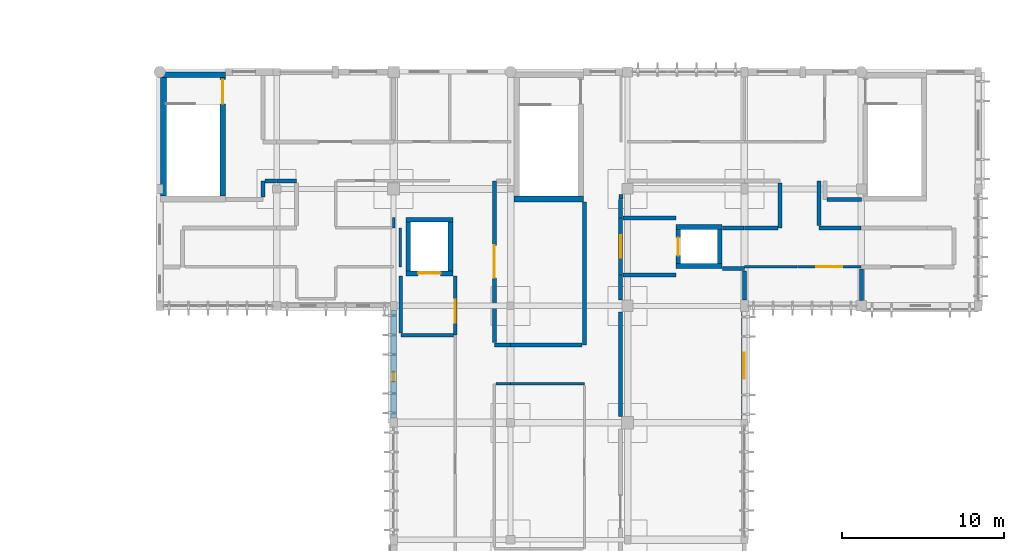
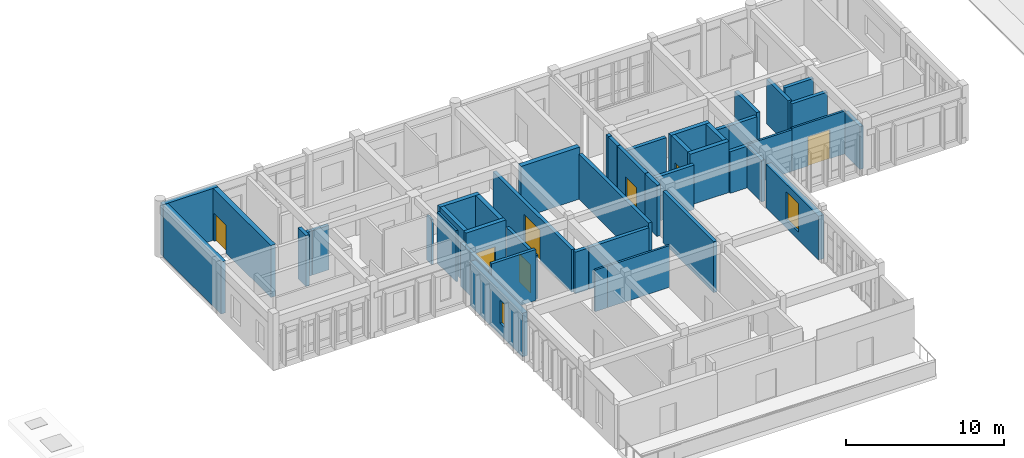
# One storey, part 15 of 19: 46 walls, 7 doors, 2 windows, 9 openings.
"""IFC4 building model written with IfcOpenShell, lengths in metres."""

from ifc_helpers import new_model, si_unit, direction, frame, frame_2d, origin, place, context, subcontext, project, spatial, rectangle, extrude, material, layer, layer_set, type_object, element, fill, save


model = new_model("IFC4")

# Units and contexts
model_context = context("Model", 3, precision=1e-05, world=origin(), true_north=direction((0.0, 1.0)))
body_context = subcontext(model_context, "Body", "Model", "MODEL_VIEW")
ifc_project = project(units=[si_unit("LENGTHUNIT", "METRE"), si_unit("AREAUNIT", "SQUARE_METRE"), si_unit("VOLUMEUNIT", "CUBIC_METRE"), si_unit("PLANEANGLEUNIT", "RADIAN"), si_unit("MASSUNIT", "GRAM", prefix="KILO")], contexts=[model_context])

# Site, building, storey
site_placement = place(None, origin())
site = spatial("IfcSite", under=ifc_project, at=site_placement, CompositionType="ELEMENT")
building_placement = place(site_placement, origin())
building = spatial("IfcBuilding", under=site, at=building_placement, Name="Steenspoor Specialist Clinic", CompositionType="ELEMENT")
storey_placement = place(building_placement, frame((0.0, 0.0, 21.60009765625)))
storey = spatial("IfcBuildingStorey", under=building, at=storey_placement, Name="L05", CompositionType="ELEMENT", Elevation=21.60009765625)

# Wall, opening, window
ifc_material_1 = material(Name="Extruded clay brick masonry", Category="masonry")
ifc_layer_1 = layer(ifc_material_1, 0.3798828125)
ifc_layer_set_1 = layer_set([ifc_layer_1], Name="Extruded clay brick masonry")
wall_type_1 = type_object("IfcWallType", Name="W-BRICK-380", PredefinedType="USERDEFINED", material=ifc_layer_set_1)
wall_1_placement = place(storey_placement, frame((74.0, 87.050048828125, 0.0), z_axis=(0.0, 0.0, 1.0), x_axis=(0.0, 1.0, 0.0)))
wall_1 = element("IfcWall", 1, at=wall_1_placement, inside=storey, type_object=wall_type_1, Name="Exterior Brick Wall EW-V4-L05-0217", ObjectType="CAVITY VENEER", PredefinedType="USERDEFINED", context=body_context, shape_type="SweptSolid", body=[
    extrude(rectangle(XDim=6.625, YDim=0.3798828125, at=frame_2d((3.3125, 0.0))), origin(), (0.0, 0.0, 1.0), 3.3798828125),
])
opening_1_placement = place(wall_1_placement, frame((2.239990234375, 0.0, 0.89990234375)))
opening_1 = element("IfcOpeningElement", 2, at=opening_1_placement, cuts=wall_1, Name="Opening WN-01", PredefinedType="OPENING", context=body_context, shape_type="SweptSolid", body=[
    extrude(rectangle(XDim=0.60009765625, YDim=1.800048828125, at=frame_2d((0.300048828125, 0.89990234375))), frame((0.0, 0.199951171875, 0.0), z_axis=(0.0, -1.0, 0.0), x_axis=(1.0, 0.0, 0.0)), (0.0, 0.0, 1.0), 0.39990234375),
])
ifc_material_2 = material(Name="Thermally broken aluminium and low-emissivity glass", Category="aluminium")
window_type_1 = type_object("IfcWindowType", Name="WN-EXT-060X180", PartitioningType="SINGLE_PANEL", PredefinedType="WINDOW", material=ifc_material_2)
window_1_placement = place(opening_1_placement, origin())
window_1 = element("IfcWindow", 3, at=window_1_placement, inside=storey, type_object=window_type_1, Name="Window 0236", OverallHeight=1.800048828125, OverallWidth=0.60009765625, PartitioningType="SINGLE_PANEL", PredefinedType="WINDOW", context=body_context, shape_type="SweptSolid", body=[
    extrude(rectangle(XDim=0.60009765625, YDim=1.800048828125, at=frame_2d((0.300048828125, 0.89990234375))), frame((0.0, 0.030029296875, 0.0), z_axis=(0.0, -1.0, 0.0), x_axis=(1.0, 0.0, 0.0)), (0.0, 0.0, 1.0), 0.06005859375),
])
fill(opening_1, window_1)

wall_2_placement = place(storey_placement, frame((95.60009765625, 93.60009765625, 0.0), z_axis=(0.0, 0.0, 1.0), x_axis=(0.0, -1.0, 0.0)))
wall_2 = element("IfcWall", 4, at=wall_2_placement, inside=storey, type_object=wall_type_1, Name="Exterior Brick Wall EW-V4-L05-0229", ObjectType="CAVITY VENEER", PredefinedType="USERDEFINED", context=body_context, shape_type="SweptSolid", body=[
    extrude(rectangle(XDim=6.650146484375, YDim=0.3798828125, at=frame_2d((3.3251953125, 0.0))), origin(), (0.0, 0.0, 1.0), 3.3798828125),
])
opening_2_placement = place(wall_2_placement, frame((2.52490234375, 0.0, 0.60009765625)))
opening_2 = element("IfcOpeningElement", 5, at=opening_2_placement, cuts=wall_2, Name="Opening WN-16", PredefinedType="OPENING", context=body_context, shape_type="SweptSolid", body=[
    extrude(rectangle(XDim=1.60009765625, YDim=2.199951171875, at=frame_2d((0.800048828125, 1.10009765625))), frame((0.0, 0.199951171875, 0.0), z_axis=(0.0, -1.0, 0.0), x_axis=(1.0, 0.0, 0.0)), (0.0, 0.0, 1.0), 0.39990234375),
])
window_type_2 = type_object("IfcWindowType", Name="WN-EXT-160X220", PartitioningType="SINGLE_PANEL", PredefinedType="WINDOW", material=ifc_material_2)
window_2_placement = place(opening_2_placement, origin())
window_2 = element("IfcWindow", 6, at=window_2_placement, inside=storey, type_object=window_type_2, Name="Window 0251", OverallHeight=2.199951171875, OverallWidth=1.60009765625, PartitioningType="SINGLE_PANEL", PredefinedType="WINDOW", context=body_context, shape_type="SweptSolid", body=[
    extrude(rectangle(XDim=1.60009765625, YDim=2.199951171875, at=frame_2d((0.800048828125, 1.10009765625))), frame((0.0, 0.030029296875, 0.0), z_axis=(0.0, -1.0, 0.0), x_axis=(1.0, 0.0, 0.0)), (0.0, 0.0, 1.0), 0.06005859375),
])
fill(opening_2, window_2)

# Walls
ifc_material_3 = material(Name="Gypsum acoustic clinical partition", Category="gypsum")
ifc_layer_2 = layer(ifc_material_3, 0.14990234375)
ifc_layer_set_2 = layer_set([ifc_layer_2], Name="Gypsum acoustic clinical partition")
wall_type_2 = type_object("IfcWallType", Name="W-CLIN-150", PredefinedType="PARTITIONING", material=ifc_layer_set_2)
wall_3_placement = place(storey_placement, frame((74.39990234375, 96.35009765625, 0.0), z_axis=(0.0, 0.0, 1.0), x_axis=(0.0, 1.0, 0.0)))
element("IfcWall", 7, at=wall_3_placement, inside=storey, type_object=wall_type_2, Name="Interior Partition IW-V4-L05-1980", PredefinedType="PARTITIONING", context=body_context, shape_type="SweptSolid", body=[
    extrude(rectangle(XDim=2.39990234375, YDim=0.14990234375, at=frame_2d((1.199951171875, 0.0))), origin(), (0.0, 0.0, 1.0), 3.949951171875),
])
wall_4_placement = place(storey_placement, frame((74.0, 98.75, 0.0), z_axis=(0.0, 0.0, 1.0), x_axis=(0.0, 1.0, 0.0)))
element("IfcWall", 8, at=wall_4_placement, inside=storey, type_object=wall_type_2, Name="Interior Partition IW-V4-L05-1981", PredefinedType="PARTITIONING", context=body_context, shape_type="SweptSolid", body=[
    extrude(rectangle(XDim=0.64990234375, YDim=0.14990234375, at=frame_2d((0.324951171875, 0.0))), origin(), (0.0, 0.0, 1.0), 3.469970703125),
])
wall_5_placement = place(storey_placement, frame((81.199951171875, 89.14990234375, 0.0), z_axis=(0.0, 0.0, 1.0), x_axis=(1.0, 0.0, 0.0)))
element("IfcWall", 9, at=wall_5_placement, inside=storey, type_object=wall_type_2, Name="Interior Partition IW-V4-L05-1983", PredefinedType="PARTITIONING", context=body_context, shape_type="SweptSolid", body=[
    extrude(rectangle(XDim=4.550048828125, YDim=0.14990234375, at=frame_2d((2.27490234375, 0.0))), origin(), (0.0, 0.0, 1.0), 3.219970703125),
])
wall_6_placement = place(storey_placement, frame((80.2900390625, 89.14990234375, 0.0), z_axis=(0.0, 0.0, 1.0), x_axis=(1.0, 0.0, 0.0)))
element("IfcWall", 10, at=wall_6_placement, inside=storey, type_object=wall_type_2, Name="Interior Partition IW-V4-L05-1988", PredefinedType="PARTITIONING", context=body_context, shape_type="SweptSolid", body=[
    extrude(rectangle(XDim=0.89501953125, YDim=0.14990234375, at=frame_2d((0.447509765625, 0.0))), origin(), (0.0, 0.0, 1.0), 3.219970703125),
])
wall_7_placement = place(storey_placement, frame((95.614990234375, 96.35009765625, 0.0), z_axis=(0.0, 0.0, 1.0), x_axis=(1.0, 0.0, 0.0)))
element("IfcWall", 11, at=wall_7_placement, inside=storey, type_object=wall_type_2, Name="Interior Partition IW-V4-L05-1989", PredefinedType="PARTITIONING", context=body_context, shape_type="SweptSolid", body=[
    extrude(rectangle(XDim=3.235107421875, YDim=0.14990234375, at=frame_2d((1.61767578125, 0.0))), origin(), (0.0, 0.0, 1.0), 3.219970703125),
])

# Wall, opening, door
wall_8_placement = place(storey_placement, frame((98.864990234375, 96.35009765625, 0.0), z_axis=(0.0, 0.0, 1.0), x_axis=(1.0, 0.0, 0.0)))
wall_8 = element("IfcWall", 12, at=wall_8_placement, inside=storey, type_object=wall_type_2, Name="Interior Partition IW-V4-L05-1990", PredefinedType="PARTITIONING", context=body_context, shape_type="SweptSolid", body=[
    extrude(rectangle(XDim=3.919921875, YDim=0.14990234375, at=frame_2d((1.9599609375, 0.0))), origin(), (0.0, 0.0, 1.0), 3.31982421875),
])
opening_3_placement = place(wall_8_placement, frame((1.159912109375, 0.0, 0.0)))
opening_3 = element("IfcOpeningElement", 13, at=opening_3_placement, cuts=wall_8, Name="Opening D0313", PredefinedType="OPENING", context=body_context, shape_type="SweptSolid", body=[
    extrude(rectangle(XDim=1.60009765625, YDim=2.25, at=frame_2d((0.800048828125, 1.125))), frame((0.0, 0.0849609375, 0.0), z_axis=(0.0, -1.0, 0.0), x_axis=(1.0, 0.0, 0.0)), (0.0, 0.0, 1.0), 0.169921875),
])
ifc_material_4 = material(Name="Hygienic HPL clinical timber door", Category="wood")
door_type_1 = type_object("IfcDoorType", Name="DT-PROC-160X225", OperationType="NOTDEFINED", PredefinedType="DOOR", material=ifc_material_4)
door_1_placement = place(opening_3_placement, origin())
door_1 = element("IfcDoor", 14, at=door_1_placement, inside=storey, type_object=door_type_1, Name="Clinical Door D0313", OperationType="SINGLE_SWING_RIGHT", OverallHeight=2.25, OverallWidth=1.60009765625, PredefinedType="DOOR", context=body_context, shape_type="SweptSolid", body=[
    extrude(rectangle(XDim=1.60009765625, YDim=2.25, at=frame_2d((0.800048828125, 1.125))), frame((0.0, 0.02490234375, 0.0), z_axis=(0.0, -1.0, 0.0), x_axis=(1.0, 0.0, 0.0)), (0.0, 0.0, 1.0), 0.050048828125),
])
fill(opening_3, door_1)

# Wall
ifc_material_5 = material(Name="Concrete C40/50", Category="concrete")
ifc_layer_3 = layer(ifc_material_5, 0.330078125)
ifc_layer_set_3 = layer_set([ifc_layer_3], Name="Concrete C40/50")
wall_type_3 = type_object("IfcWallType", Name="W-ESW-330", PredefinedType="SHEAR", material=ifc_layer_set_3)
wall_9_placement = place(storey_placement, frame((59.64990234375, 108.175048828125, 0.0), z_axis=(0.0, 0.0, 1.0), x_axis=(1.0, 0.0, 0.0)))
element("IfcWall", 15, at=wall_9_placement, inside=storey, type_object=wall_type_3, Name="Core Shear Wall SW-ST-V4A-L05-N", PredefinedType="SHEAR", context=body_context, shape_type="SweptSolid", body=[
    extrude(rectangle(XDim=4.0, YDim=0.330078125, at=frame_2d((2.0, 0.0))), origin(), (0.0, 0.0, 1.0), 4.02001953125),
])

# Wall, opening, door
ifc_material_6 = material(Name="Fire-rated clay blockwork masonry", Category="masonry")
ifc_layer_4 = layer(ifc_material_6, 0.219970703125)
ifc_layer_set_4 = layer_set([ifc_layer_4], Name="Fire-rated clay blockwork masonry")
wall_type_4 = type_object("IfcWallType", Name="W-FIRE-220", PredefinedType="PARTITIONING", material=ifc_layer_set_4)
wall_10_placement = place(storey_placement, frame((77.800048828125, 92.14990234375, 0.0), z_axis=(0.0, 0.0, 1.0), x_axis=(0.0, 1.0, 0.0)))
wall_10 = element("IfcWall", 16, at=wall_10_placement, inside=storey, type_object=wall_type_4, Name="Interior Partition IW-V4-L05-1929", PredefinedType="PARTITIONING", context=body_context, shape_type="SweptSolid", body=[
    extrude(rectangle(XDim=3.650146484375, YDim=0.219970703125, at=frame_2d((1.8251953125, 0.0))), origin(), (0.0, 0.0, 1.0), 3.369873046875),
])
opening_4_placement = place(wall_10_placement, frame((0.764892578125, 0.0, 0.0)))
opening_4 = element("IfcOpeningElement", 17, at=opening_4_placement, cuts=wall_10, Name="Opening D0307", PredefinedType="OPENING", context=body_context, shape_type="SweptSolid", body=[
    extrude(rectangle(XDim=1.39990234375, YDim=2.199951171875, at=frame_2d((0.699951171875, 1.10009765625))), frame((0.0, 0.1201171875, 0.0), z_axis=(0.0, -1.0, 0.0), x_axis=(1.0, 0.0, 0.0)), (0.0, 0.0, 1.0), 0.239990234375),
])
ifc_material_7 = material(Name="Fire-rated clinical laminate door", Category="steel")
door_type_2 = type_object("IfcDoorType", Name="DT-LAB-140X220", OperationType="NOTDEFINED", PredefinedType="DOOR", material=ifc_material_7)
door_2_placement = place(opening_4_placement, origin())
door_2 = element("IfcDoor", 18, at=door_2_placement, inside=storey, type_object=door_type_2, Name="Lift Lobby Fire Door D0307", OperationType="SINGLE_SWING_RIGHT", OverallHeight=2.199951171875, OverallWidth=1.39990234375, PredefinedType="DOOR", context=body_context, shape_type="SweptSolid", body=[
    extrude(rectangle(XDim=1.39990234375, YDim=2.199951171875, at=frame_2d((0.699951171875, 1.10009765625))), frame((0.0, 0.02490234375, 0.0), z_axis=(0.0, -1.0, 0.0), x_axis=(1.0, 0.0, 0.0)), (0.0, 0.0, 1.0), 0.050048828125),
])
fill(opening_4, door_2)

# Walls
wall_11_placement = place(storey_placement, frame((74.449951171875, 92.14990234375, 0.0), z_axis=(0.0, 0.0, 1.0), x_axis=(1.0, 0.0, 0.0)))
element("IfcWall", 19, at=wall_11_placement, inside=storey, type_object=wall_type_4, Name="Interior Partition IW-V4-L05-1931", PredefinedType="PARTITIONING", context=body_context, shape_type="SweptSolid", body=[
    extrude(rectangle(XDim=3.22509765625, YDim=0.219970703125, at=frame_2d((1.612548828125, 0.0))), origin(), (0.0, 0.0, 1.0), 3.949951171875),
])
wall_12_placement = place(storey_placement, frame((74.449951171875, 92.27490234375, 0.0), z_axis=(0.0, 0.0, 1.0), x_axis=(0.0, 1.0, 0.0)))
element("IfcWall", 20, at=wall_12_placement, inside=storey, type_object=wall_type_4, Name="Interior Partition IW-V4-L05-1932", PredefinedType="PARTITIONING", context=body_context, shape_type="SweptSolid", body=[
    extrude(rectangle(XDim=3.525146484375, YDim=0.219970703125, at=frame_2d((1.7626953125, 0.0))), origin(), (0.0, 0.0, 1.0), 3.369873046875),
])

# Wall, opening, door
ifc_layer_5 = layer(ifc_material_6, 0.25)
ifc_layer_set_5 = layer_set([ifc_layer_5], Name="Fire-rated clay blockwork masonry")
wall_type_5 = type_object("IfcWallType", Name="W-SHAFT-250", PredefinedType="PARTITIONING", material=ifc_layer_set_5)
wall_13_placement = place(storey_placement, frame((87.97509765625, 95.85009765625, 0.0), z_axis=(0.0, 0.0, 1.0), x_axis=(0.0, 1.0, 0.0)))
wall_13 = element("IfcWall", 21, at=wall_13_placement, inside=storey, type_object=wall_type_5, Name="Interior Partition IW-V4-L05-1930", PredefinedType="PARTITIONING", context=body_context, shape_type="SweptSolid", body=[
    extrude(rectangle(XDim=3.5, YDim=0.25, at=frame_2d((1.75, 0.0))), origin(), (0.0, 0.0, 1.0), 3.949951171875),
])
opening_5_placement = place(wall_13_placement, frame((1.050048828125, 0.0, 0.0)))
opening_5 = element("IfcOpeningElement", 22, at=opening_5_placement, cuts=wall_13, Name="Opening D0308", PredefinedType="OPENING", context=body_context, shape_type="SweptSolid", body=[
    extrude(rectangle(XDim=1.39990234375, YDim=2.199951171875, at=frame_2d((0.699951171875, 1.10009765625))), frame((0.0, 0.135009765625, 0.0), z_axis=(0.0, -1.0, 0.0), x_axis=(1.0, 0.0, 0.0)), (0.0, 0.0, 1.0), 0.27001953125),
])
door_3_placement = place(opening_5_placement, origin())
door_3 = element("IfcDoor", 23, at=door_3_placement, inside=storey, type_object=door_type_2, Name="Lift Lobby Fire Door D0308", OperationType="SINGLE_SWING_LEFT", OverallHeight=2.199951171875, OverallWidth=1.39990234375, PredefinedType="DOOR", context=body_context, shape_type="SweptSolid", body=[
    extrude(rectangle(XDim=1.39990234375, YDim=2.199951171875, at=frame_2d((0.699951171875, 1.10009765625))), frame((0.0, 0.02490234375, 0.0), z_axis=(0.0, -1.0, 0.0), x_axis=(1.0, 0.0, 0.0)), (0.0, 0.0, 1.0), 0.050048828125),
])
fill(opening_5, door_3)

# Walls
for number, where, z_axis, x_axis, name in (
    (24, (88.114990234375, 99.35009765625, 0.0), (0.0, 0.0, 1.0), (1.0, 0.0, 0.0), "Interior Partition IW-V4-L05-1933"),
    (25, (88.114990234375, 95.85009765625, 0.0), (0.0, 0.0, 1.0), (1.0, 0.0, 0.0), "Interior Partition IW-V4-L05-1934"),
):
    element("IfcWall", number, at=place(storey_placement, frame(where, z_axis=z_axis, x_axis=x_axis)), inside=storey, type_object=wall_type_5, Name=name, PredefinedType="PARTITIONING", context=body_context, shape_type="SweptSolid", body=[
        extrude(rectangle(XDim=3.260009765625, YDim=0.25, at=frame_2d((1.6298828125, 0.0))), origin(), (0.0, 0.0, 1.0), 3.43994140625),
    ])
wall_14_placement = place(storey_placement, frame((87.971923828125, 87.14013671875, 0.0), z_axis=(0.0, 0.0, 1.0), x_axis=(0.000189408285, 0.999999982062, 0.0)))
element("IfcWall", 26, at=wall_14_placement, inside=storey, type_object=wall_type_5, Name="Interior Partition IW-V4-L05-1938", PredefinedType="PARTITIONING", context=body_context, shape_type="SweptSolid", body=[
    extrude(rectangle(XDim=6.44482421875, YDim=0.25, at=frame_2d((3.222412109375, 0.0))), origin(), (0.0, 0.0, 1.0), 3.949951171875),
])
wall_15_placement = place(storey_placement, frame((87.973388671875, 94.315185546875, 0.0), z_axis=(0.0, 0.0, 1.0), x_axis=(0.000160642568, 0.999999987097, 0.0)))
element("IfcWall", 27, at=wall_15_placement, inside=storey, type_object=wall_type_5, Name="Interior Partition IW-V4-L05-1939", PredefinedType="PARTITIONING", context=body_context, shape_type="SweptSolid", body=[
    extrude(rectangle(XDim=1.519775390625, YDim=0.25, at=frame_2d((0.759765625, 0.0))), origin(), (0.0, 0.0, 1.0), 3.949951171875),
])
wall_16_placement = place(storey_placement, frame((87.969970703125, 99.364990234375, 0.0), z_axis=(0.0, 0.0, 1.0), x_axis=(0.0, 1.0, 0.0)))
element("IfcWall", 28, at=wall_16_placement, inside=storey, type_object=wall_type_5, Name="Interior Partition IW-V4-L05-1940", PredefinedType="PARTITIONING", context=body_context, shape_type="SweptSolid", body=[
    extrude(rectangle(XDim=1.135009765625, YDim=0.25, at=frame_2d((0.5673828125, 0.0))), origin(), (0.0, 0.0, 1.0), 3.949951171875),
])
wall_17_placement = place(storey_placement, frame((88.0, 100.514892578125, 0.0), z_axis=(0.0, 0.0, 1.0), x_axis=(0.0, 1.0, 0.0)))
element("IfcWall", 29, at=wall_17_placement, inside=storey, type_object=wall_type_5, Name="Interior Partition IW-V4-L05-1941", PredefinedType="PARTITIONING", context=body_context, shape_type="SweptSolid", body=[
    extrude(rectangle(XDim=0.295166015625, YDim=0.25, at=frame_2d((0.1474609375, 0.0))), origin(), (0.0, 0.0, 1.0), 3.949951171875),
])
wall_18_placement = place(storey_placement, frame((97.800048828125, 98.75, 0.0), z_axis=(0.0, 0.0, 1.0), x_axis=(0.0, 1.0, 0.0)))
element("IfcWall", 30, at=wall_18_placement, inside=storey, type_object=wall_type_5, Name="Interior Partition IW-V4-L05-1944", PredefinedType="PARTITIONING", context=body_context, shape_type="SweptSolid", body=[
    extrude(rectangle(XDim=2.760009765625, YDim=0.25, at=frame_2d((1.3798828125, 0.0))), origin(), (0.0, 0.0, 1.0), 3.43994140625),
])
wall_19_placement = place(storey_placement, frame((95.60009765625, 98.75, 0.0), z_axis=(0.0, 0.0, 1.0), x_axis=(1.0, 0.0, 0.0)))
element("IfcWall", 31, at=wall_19_placement, inside=storey, type_object=wall_type_5, Name="Interior Partition IW-V4-L05-1945", PredefinedType="PARTITIONING", context=body_context, shape_type="SweptSolid", body=[
    extrude(rectangle(XDim=2.059814453125, YDim=0.25, at=frame_2d((1.02978515625, 0.0))), origin(), (0.0, 0.0, 1.0), 3.219970703125),
])
wall_20_placement = place(storey_placement, frame((94.239990234375, 98.75, 0.0), z_axis=(0.0, 0.0, 1.0), x_axis=(1.0, 0.0, 0.0)))
element("IfcWall", 32, at=wall_20_placement, inside=storey, type_object=wall_type_5, Name="Interior Partition IW-V4-L05-1946", PredefinedType="PARTITIONING", context=body_context, shape_type="SweptSolid", body=[
    extrude(rectangle(XDim=1.344970703125, YDim=0.25, at=frame_2d((0.67236328125, 0.0))), origin(), (0.0, 0.0, 1.0), 3.219970703125),
])
wall_21_placement = place(storey_placement, frame((94.239990234375, 96.25, 0.0), z_axis=(0.0, 0.0, 1.0), x_axis=(1.0, 0.0, 0.0)))
element("IfcWall", 33, at=wall_21_placement, inside=storey, type_object=wall_type_5, Name="Interior Partition IW-V4-L05-1947", PredefinedType="PARTITIONING", context=body_context, shape_type="SweptSolid", body=[
    extrude(rectangle(XDim=1.360107421875, YDim=0.25, at=frame_2d((0.68017578125, 0.0))), origin(), (0.0, 0.0, 1.0), 3.219970703125),
])
wall_22_placement = place(storey_placement, frame((85.75, 91.550048828125, 0.0), z_axis=(0.0, 0.0, 1.0), x_axis=(0.0, 1.0, 0.0)))
element("IfcWall", 34, at=wall_22_placement, inside=storey, type_object=wall_type_5, Name="Interior Partition IW-V4-L05-1948", PredefinedType="PARTITIONING", context=body_context, shape_type="SweptSolid", body=[
    extrude(rectangle(XDim=8.800048828125, YDim=0.25, at=frame_2d((4.39990234375, 0.0))), origin(), (0.0, 0.0, 1.0), 3.5),
])
wall_23_placement = place(storey_placement, frame((81.199951171875, 91.550048828125, 0.0), z_axis=(0.0, 0.0, 1.0), x_axis=(1.0, 0.0, 0.0)))
element("IfcWall", 35, at=wall_23_placement, inside=storey, type_object=wall_type_5, Name="Interior Partition IW-V4-L05-1949", PredefinedType="PARTITIONING", context=body_context, shape_type="SweptSolid", body=[
    extrude(rectangle(XDim=4.41015625, YDim=0.25, at=frame_2d((2.205078125, 0.0))), origin(), (0.0, 0.0, 1.0), 3.219970703125),
])
wall_24_placement = place(storey_placement, frame((80.199951171875, 91.550048828125, 0.0), z_axis=(0.0, 0.0, 1.0), x_axis=(1.0, 0.0, 0.0)))
element("IfcWall", 36, at=wall_24_placement, inside=storey, type_object=wall_type_5, Name="Interior Partition IW-V4-L05-1950", PredefinedType="PARTITIONING", context=body_context, shape_type="SweptSolid", body=[
    extrude(rectangle(XDim=0.985107421875, YDim=0.25, at=frame_2d((0.49267578125, 0.0))), origin(), (0.0, 0.0, 1.0), 3.219970703125),
])

# Wall, opening, door
wall_25_placement = place(storey_placement, frame((80.199951171875, 91.68994140625, 0.0), z_axis=(0.0, 0.0, 1.0), x_axis=(0.0, 1.0, 0.0)))
wall_25 = element("IfcWall", 37, at=wall_25_placement, inside=storey, type_object=wall_type_5, Name="Interior Partition IW-V4-L05-1951", PredefinedType="PARTITIONING", context=body_context, shape_type="SweptSolid", body=[
    extrude(rectangle(XDim=9.9599609375, YDim=0.25, at=frame_2d((4.97998046875, 0.0))), origin(), (0.0, 0.0, 1.0), 3.2998046875),
])
opening_6_placement = place(wall_25_placement, frame((3.97998046875, 0.0, 0.0)))
opening_6 = element("IfcOpeningElement", 38, at=opening_6_placement, cuts=wall_25, Name="Opening D0312", PredefinedType="OPENING", context=body_context, shape_type="SweptSolid", body=[
    extrude(rectangle(XDim=2.0, YDim=2.39990234375, at=frame_2d((1.0, 1.199951171875))), frame((0.0, 0.135009765625, 0.0), z_axis=(0.0, -1.0, 0.0), x_axis=(1.0, 0.0, 0.0)), (0.0, 0.0, 1.0), 0.27001953125),
])
ifc_material_8 = material(Name="Fire-rated louvred steel plant door", Category="steel")
door_type_3 = type_object("IfcDoorType", Name="DT-PLANT-200X240", OperationType="NOTDEFINED", PredefinedType="DOOR", material=ifc_material_8)
door_4_placement = place(opening_6_placement, origin())
door_4 = element("IfcDoor", 39, at=door_4_placement, inside=storey, type_object=door_type_3, Name="Clinical Door D0312", OperationType="DOUBLE_DOOR_SINGLE_SWING", OverallHeight=2.39990234375, OverallWidth=2.0, PredefinedType="DOOR", context=body_context, shape_type="SweptSolid", body=[
    extrude(rectangle(XDim=2.0, YDim=2.39990234375, at=frame_2d((1.0, 1.199951171875))), frame((0.0, 0.02490234375, 0.0), z_axis=(0.0, -1.0, 0.0), x_axis=(1.0, 0.0, 0.0)), (0.0, 0.0, 1.0), 0.050048828125),
])
fill(opening_6, door_4)

# Walls
wall_26_placement = place(storey_placement, frame((100.68994140625, 100.5, 0.0), z_axis=(0.0, 0.0, 1.0), x_axis=(1.0, 0.0, 0.0)))
element("IfcWall", 40, at=wall_26_placement, inside=storey, type_object=wall_type_5, Name="Interior Partition IW-V4-L05-1954", PredefinedType="PARTITIONING", context=body_context, shape_type="SweptSolid", body=[
    extrude(rectangle(XDim=2.110107421875, YDim=0.25, at=frame_2d((1.05517578125, 0.0))), origin(), (0.0, 0.0, 1.0), 3.31982421875),
])
wall_27_placement = place(storey_placement, frame((100.199951171875, 98.75, 0.0), z_axis=(0.0, 0.0, 1.0), x_axis=(1.0, 0.0, 0.0)))
element("IfcWall", 41, at=wall_27_placement, inside=storey, type_object=wall_type_5, Name="Interior Partition IW-V4-L05-1959", PredefinedType="PARTITIONING", context=body_context, shape_type="SweptSolid", body=[
    extrude(rectangle(XDim=2.5849609375, YDim=0.25, at=frame_2d((1.29248046875, 0.0))), origin(), (0.0, 0.0, 1.0), 3.31982421875),
])
wall_28_placement = place(storey_placement, frame((100.199951171875, 98.889892578125, 0.0), z_axis=(0.0, 0.0, 1.0), x_axis=(0.0, 1.0, 0.0)))
element("IfcWall", 42, at=wall_28_placement, inside=storey, type_object=wall_type_5, Name="Interior Partition IW-V4-L05-1960", PredefinedType="PARTITIONING", context=body_context, shape_type="SweptSolid", body=[
    extrude(rectangle(XDim=2.760009765625, YDim=0.25, at=frame_2d((1.3798828125, 0.0))), origin(), (0.0, 0.0, 1.0), 3.43994140625),
])
wall_29_placement = place(storey_placement, frame((65.949951171875, 100.639892578125, 0.0), z_axis=(0.0, 0.0, 1.0), x_axis=(0.0, 1.0, 0.0)))
element("IfcWall", 43, at=wall_29_placement, inside=storey, type_object=wall_type_5, Name="Interior Partition IW-V4-L05-1968", PredefinedType="PARTITIONING", context=body_context, shape_type="SweptSolid", body=[
    extrude(rectangle(XDim=1.010009765625, YDim=0.25, at=frame_2d((0.5048828125, 0.0))), origin(), (0.0, 0.0, 1.0), 3.949951171875),
])
wall_30_placement = place(storey_placement, frame((66.090087890625, 101.64990234375, 0.0), z_axis=(0.0, 0.0, 1.0), x_axis=(1.0, 0.0, 0.0)))
element("IfcWall", 44, at=wall_30_placement, inside=storey, type_object=wall_type_5, Name="Interior Partition IW-V4-L05-1969", PredefinedType="PARTITIONING", context=body_context, shape_type="SweptSolid", body=[
    extrude(rectangle(XDim=0.7099609375, YDim=0.25, at=frame_2d((0.35498046875, 0.0))), origin(), (0.0, 0.0, 1.0), 3.43994140625),
])
wall_31_placement = place(storey_placement, frame((66.81494140625, 101.64990234375, 0.0), z_axis=(0.0, 0.0, 1.0), x_axis=(1.0, 0.0, 0.0)))
element("IfcWall", 45, at=wall_31_placement, inside=storey, type_object=wall_type_5, Name="Interior Partition IW-V4-L05-1970", PredefinedType="PARTITIONING", context=body_context, shape_type="SweptSolid", body=[
    extrude(rectangle(XDim=1.215087890625, YDim=0.25, at=frame_2d((0.607421875, 0.0))), origin(), (0.0, 0.0, 1.0), 3.43994140625),
])
wall_32_placement = place(storey_placement, frame((95.60009765625, 94.31494140625, 0.0), z_axis=(0.0, 0.0, 1.0), x_axis=(0.0, 1.0, 0.0)))
element("IfcWall", 46, at=wall_32_placement, inside=storey, type_object=wall_type_5, Name="Interior Partition IW-V4-L05-2004", PredefinedType="PARTITIONING", context=body_context, shape_type="SweptSolid", body=[
    extrude(rectangle(XDim=1.795166015625, YDim=0.25, at=frame_2d((0.8974609375, 0.0))), origin(), (0.0, 0.0, 1.0), 3.219970703125),
])
wall_33_placement = place(storey_placement, frame((102.800048828125, 94.2900390625, 0.0), z_axis=(0.0, 0.0, 1.0), x_axis=(0.0, 1.0, 0.0)))
element("IfcWall", 47, at=wall_33_placement, inside=storey, type_object=wall_type_5, Name="Interior Partition IW-V4-L05-2005", PredefinedType="PARTITIONING", context=body_context, shape_type="SweptSolid", body=[
    extrude(rectangle(XDim=1.919921875, YDim=0.25, at=frame_2d((0.9599609375, 0.0))), origin(), (0.0, 0.0, 1.0), 3.31982421875),
])

# Wall, opening, door
ifc_layer_6 = layer(ifc_material_5, 0.300048828125)
ifc_layer_set_6 = layer_set([ifc_layer_6], Name="Concrete C40/50")
wall_type_6 = type_object("IfcWallType", Name="W-SW-300", PredefinedType="SHEAR", material=ifc_layer_set_6)
wall_34_placement = place(storey_placement, frame((74.75, 95.949951171875, 0.0), z_axis=(0.0, 0.0, 1.0), x_axis=(1.0, 0.0, 0.0)))
wall_34 = element("IfcWall", 48, at=wall_34_placement, inside=storey, type_object=wall_type_6, Name="Lift Shaft Shear Wall SW-EL-S1-L05-S", PredefinedType="SHEAR", context=body_context, shape_type="SweptSolid", body=[
    extrude(rectangle(XDim=2.89990234375, YDim=0.300048828125, at=frame_2d((1.449951171875, 0.0))), origin(), (0.0, 0.0, 1.0), 3.949951171875),
])
opening_7_placement = place(wall_34_placement, frame((0.75, 0.0, 0.0)))
opening_7 = element("IfcOpeningElement", 49, at=opening_7_placement, cuts=wall_34, Name="Opening LD06", PredefinedType="OPENING", context=body_context, shape_type="SweptSolid", body=[
    extrude(rectangle(XDim=1.39990234375, YDim=2.14990234375, at=frame_2d((0.699951171875, 1.074951171875))), frame((0.0, 0.16015625, 0.0), z_axis=(0.0, -1.0, 0.0), x_axis=(1.0, 0.0, 0.0)), (0.0, 0.0, 1.0), 0.320068359375),
])
ifc_material_9 = material(Name="Stainless steel lift landing door", Category="steel")
door_type_4 = type_object("IfcDoorType", Name="DT-LIFT-S-140", OperationType="NOTDEFINED", PredefinedType="DOOR", material=ifc_material_9)
door_5_placement = place(opening_7_placement, origin())
door_5 = element("IfcDoor", 50, at=door_5_placement, inside=storey, type_object=door_type_4, Name="Lift Landing Door LD06", OperationType="SLIDING_TO_LEFT", OverallHeight=2.14990234375, OverallWidth=1.39990234375, PredefinedType="DOOR", context=body_context, shape_type="SweptSolid", body=[
    extrude(rectangle(XDim=1.39990234375, YDim=2.14990234375, at=frame_2d((0.699951171875, 1.074951171875))), frame((0.0, 0.02490234375, 0.0), z_axis=(0.0, -1.0, 0.0), x_axis=(1.0, 0.0, 0.0)), (0.0, 0.0, 1.0), 0.050048828125),
])
fill(opening_7, door_5)

# Walls
wall_35_placement = place(storey_placement, frame((74.75, 99.25, 0.0), z_axis=(0.0, 0.0, 1.0), x_axis=(1.0, 0.0, 0.0)))
element("IfcWall", 51, at=wall_35_placement, inside=storey, type_object=wall_type_6, Name="Lift Shaft Shear Wall SW-EL-S1-L05-N", PredefinedType="SHEAR", context=body_context, shape_type="SweptSolid", body=[
    extrude(rectangle(XDim=2.89990234375, YDim=0.300048828125, at=frame_2d((1.449951171875, 0.0))), origin(), (0.0, 0.0, 1.0), 3.949951171875),
])
for number, where, z_axis, x_axis, name in (
    (52, (74.89990234375, 96.10009765625, 0.0), (0.0, 0.0, 1.0), (0.0, 1.0, 0.0), "Lift Shaft Shear Wall SW-EL-S1-L05-W"),
    (53, (77.5, 96.10009765625, 0.0), (0.0, 0.0, 1.0), (0.0, 1.0, 0.0), "Lift Shaft Shear Wall SW-EL-S1-L05-E"),
):
    element("IfcWall", number, at=place(storey_placement, frame(where, z_axis=z_axis, x_axis=x_axis)), inside=storey, type_object=wall_type_6, Name=name, PredefinedType="SHEAR", context=body_context, shape_type="SweptSolid", body=[
        extrude(rectangle(XDim=3.0, YDim=0.300048828125, at=frame_2d((1.5, 0.0))), origin(), (0.0, 0.0, 1.0), 3.949951171875),
    ])
for number, where, z_axis, x_axis, name in (
    (54, (91.375, 96.39990234375, 0.0), (0.0, 0.0, 1.0), (1.0, 0.0, 0.0), "Lift Shaft Shear Wall SW-EL-P1-L05-S"),
    (55, (91.375, 98.800048828125, 0.0), (0.0, 0.0, 1.0), (1.0, 0.0, 0.0), "Lift Shaft Shear Wall SW-EL-P1-L05-N"),
):
    element("IfcWall", number, at=place(storey_placement, frame(where, z_axis=z_axis, x_axis=x_axis)), inside=storey, type_object=wall_type_6, Name=name, PredefinedType="SHEAR", context=body_context, shape_type="SweptSolid", body=[
        extrude(rectangle(XDim=2.85009765625, YDim=0.300048828125, at=frame_2d((1.425048828125, 0.0))), origin(), (0.0, 0.0, 1.0), 3.949951171875),
    ])

# Wall, opening, door
wall_36_placement = place(storey_placement, frame((91.52490234375, 96.550048828125, 0.0), z_axis=(0.0, 0.0, 1.0), x_axis=(0.0, 1.0, 0.0)))
wall_36 = element("IfcWall", 56, at=wall_36_placement, inside=storey, type_object=wall_type_6, Name="Lift Shaft Shear Wall SW-EL-P1-L05-W", PredefinedType="SHEAR", context=body_context, shape_type="SweptSolid", body=[
    extrude(rectangle(XDim=2.099853515625, YDim=0.300048828125, at=frame_2d((1.0498046875, 0.0))), origin(), (0.0, 0.0, 1.0), 3.949951171875),
])
opening_8_placement = place(wall_36_placement, frame((0.5, 0.0, 0.0)))
opening_8 = element("IfcOpeningElement", 57, at=opening_8_placement, cuts=wall_36, Name="Opening LD16", PredefinedType="OPENING", context=body_context, shape_type="SweptSolid", body=[
    extrude(rectangle(XDim=1.10009765625, YDim=2.14990234375, at=frame_2d((0.550048828125, 1.074951171875))), frame((0.0, 0.16015625, 0.0), z_axis=(0.0, -1.0, 0.0), x_axis=(1.0, 0.0, 0.0)), (0.0, 0.0, 1.0), 0.320068359375),
])
door_type_5 = type_object("IfcDoorType", Name="DT-LIFT-P-110", OperationType="NOTDEFINED", PredefinedType="DOOR", material=ifc_material_9)
door_6_placement = place(opening_8_placement, origin())
door_6 = element("IfcDoor", 58, at=door_6_placement, inside=storey, type_object=door_type_5, Name="Lift Landing Door LD16", OperationType="SLIDING_TO_LEFT", OverallHeight=2.14990234375, OverallWidth=1.10009765625, PredefinedType="DOOR", context=body_context, shape_type="SweptSolid", body=[
    extrude(rectangle(XDim=1.10009765625, YDim=2.14990234375, at=frame_2d((0.550048828125, 1.074951171875))), frame((0.0, 0.02490234375, 0.0), z_axis=(0.0, -1.0, 0.0), x_axis=(1.0, 0.0, 0.0)), (0.0, 0.0, 1.0), 0.050048828125),
])
fill(opening_8, door_6)

# Walls
wall_37_placement = place(storey_placement, frame((94.074951171875, 96.550048828125, 0.0), z_axis=(0.0, 0.0, 1.0), x_axis=(0.0, 1.0, 0.0)))
element("IfcWall", 59, at=wall_37_placement, inside=storey, type_object=wall_type_6, Name="Lift Shaft Shear Wall SW-EL-P1-L05-E", PredefinedType="SHEAR", context=body_context, shape_type="SweptSolid", body=[
    extrude(rectangle(XDim=2.099853515625, YDim=0.300048828125, at=frame_2d((1.0498046875, 0.0))), origin(), (0.0, 0.0, 1.0), 3.949951171875),
])
ifc_layer_7 = layer(ifc_material_5, 0.35009765625)
ifc_layer_set_7 = layer_set([ifc_layer_7], Name="Concrete C40/50")
wall_type_7 = type_object("IfcWallType", Name="W-SW-350", PredefinedType="SHEAR", material=ifc_layer_set_7)
wall_38_placement = place(storey_placement, frame((59.824951171875, 100.699951171875, 0.0), z_axis=(0.0, 0.0, 1.0), x_axis=(0.0, 1.0, 0.0)))
element("IfcWall", 60, at=wall_38_placement, inside=storey, type_object=wall_type_7, Name="Core Shear Wall SW-ST-V4A-L05-W", PredefinedType="SHEAR", context=body_context, shape_type="SweptSolid", body=[
    extrude(rectangle(XDim=7.300048828125, YDim=0.35009765625, at=frame_2d((3.64990234375, 0.0))), origin(), (0.0, 0.0, 1.0), 4.02001953125),
])

# Wall, opening, door
wall_39_placement = place(storey_placement, frame((63.47509765625, 100.699951171875, 0.0), z_axis=(0.0, 0.0, 1.0), x_axis=(0.0, 1.0, 0.0)))
wall_39 = element("IfcWall", 61, at=wall_39_placement, inside=storey, type_object=wall_type_7, Name="Core Shear Wall SW-ST-V4A-L05-E", PredefinedType="SHEAR", context=body_context, shape_type="SweptSolid", body=[
    extrude(rectangle(XDim=7.300048828125, YDim=0.35009765625, at=frame_2d((3.64990234375, 0.0))), origin(), (0.0, 0.0, 1.0), 4.02001953125),
])
opening_9_placement = place(wall_39_placement, frame((5.679931640625, 0.0, 0.0)))
opening_9 = element("IfcOpeningElement", 62, at=opening_9_placement, cuts=wall_39, Name="Opening SD014", PredefinedType="OPENING", context=body_context, shape_type="SweptSolid", body=[
    extrude(rectangle(XDim=1.5, YDim=2.14990234375, at=frame_2d((0.75, 1.074951171875))), frame((0.0, 0.18505859375, 0.0), z_axis=(0.0, -1.0, 0.0), x_axis=(1.0, 0.0, 0.0)), (0.0, 0.0, 1.0), 0.3701171875),
])
ifc_material_10 = material(Name="Fire-rated steel acoustic door", Category="steel")
door_type_6 = type_object("IfcDoorType", Name="DT-STAIR-150X215", OperationType="NOTDEFINED", PredefinedType="DOOR", material=ifc_material_10)
door_7_placement = place(opening_9_placement, origin())
door_7 = element("IfcDoor", 63, at=door_7_placement, inside=storey, type_object=door_type_6, Name="Exit Stair Fire Door SD014", OperationType="SINGLE_SWING_LEFT", OverallHeight=2.14990234375, OverallWidth=1.5, PredefinedType="DOOR", context=body_context, shape_type="SweptSolid", body=[
    extrude(rectangle(XDim=1.5, YDim=2.14990234375, at=frame_2d((0.75, 1.074951171875))), frame((0.0, 0.02490234375, 0.0), z_axis=(0.0, -1.0, 0.0), x_axis=(1.0, 0.0, 0.0)), (0.0, 0.0, 1.0), 0.050048828125),
])
fill(opening_9, door_7)

# Wall
wall_40_placement = place(storey_placement, frame((81.39990234375, 100.52490234375, 0.0), z_axis=(0.0, 0.0, 1.0), x_axis=(1.0, 0.0, 0.0)))
element("IfcWall", 64, at=wall_40_placement, inside=storey, type_object=wall_type_7, Name="Core Shear Wall SW-ST-V4C-L05-S", PredefinedType="SHEAR", context=body_context, shape_type="SweptSolid", body=[
    extrude(rectangle(XDim=4.300048828125, YDim=0.35009765625, at=frame_2d((2.14990234375, 0.0))), origin(), (0.0, 0.0, 1.0), 4.02001953125),
])

save(model, "model.ifc")
